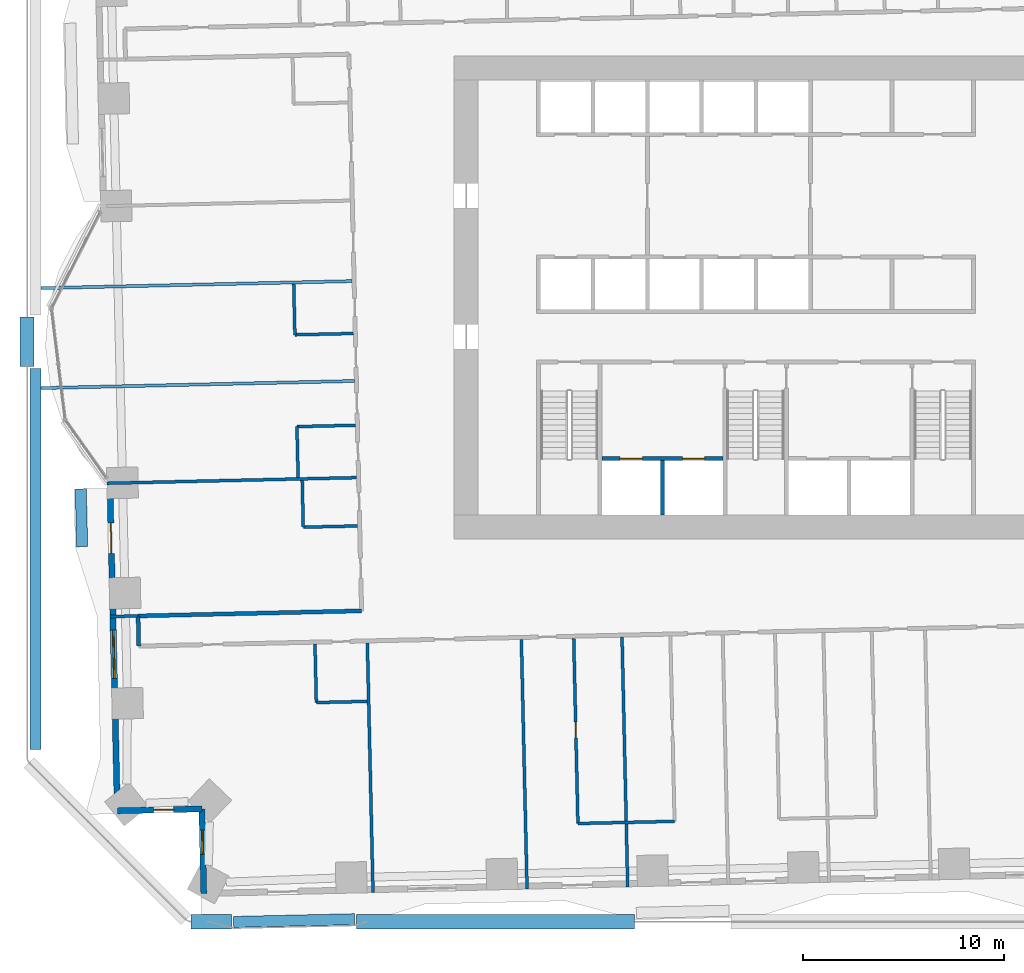
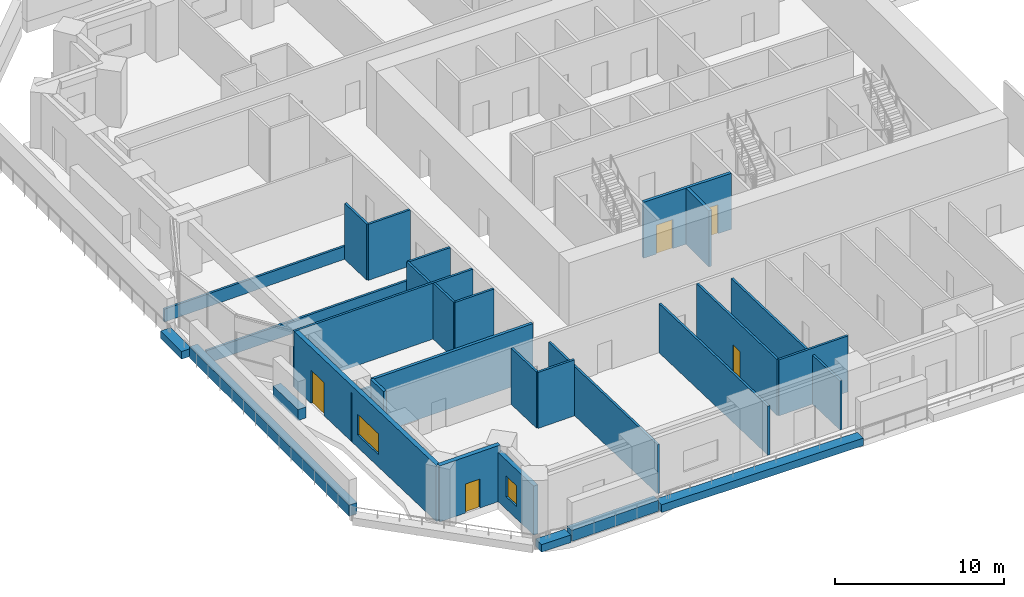
# One storey, part 10 of 21: 30 walls, 5 doors, 2 windows, 7 openings.
"""IFC4 building model written with IfcOpenShell, lengths in metres."""

from ifc_helpers import new_model, si_unit, direction, frame, frame_2d, origin, place, context, subcontext, project, spatial, rectangle, extrude, material, layer, layer_set, type_object, element, fill, save


model = new_model("IFC4")

# Units and contexts
model_context = context("Model", 3, precision=1e-05, world=origin(), true_north=direction((0.0, 1.0)))
body_context = subcontext(model_context, "Body", "Model", "MODEL_VIEW")
ifc_project = project(units=[si_unit("LENGTHUNIT", "METRE"), si_unit("AREAUNIT", "SQUARE_METRE"), si_unit("VOLUMEUNIT", "CUBIC_METRE"), si_unit("PLANEANGLEUNIT", "RADIAN"), si_unit("MASSUNIT", "GRAM", prefix="KILO")], contexts=[model_context])

# Site, building, storey
site_placement = place(None, origin())
site = spatial("IfcSite", under=ifc_project, at=site_placement, CompositionType="ELEMENT")
building_placement = place(site_placement, origin())
building = spatial("IfcBuilding", under=site, at=building_placement, Name="Mangrove Gate Tower", CompositionType="ELEMENT")
storey_placement = place(building_placement, frame((0.0, 0.0, 29.5)))
storey = spatial("IfcBuildingStorey", under=building, at=storey_placement, Name="L06", CompositionType="ELEMENT", Elevation=29.5)

# Wall, openings, doors
ifc_material_1 = material(Name="Concrete C70/85", Category="concrete")
ifc_layer_1 = layer(ifc_material_1, 0.199951171875)
ifc_layer_set_1 = layer_set([ifc_layer_1], Name="Core shaft wall 200 C70/85")
wall_type_1 = type_object("IfcWallType", Name="Core shaft wall 200 C70/85", PredefinedType="SHEAR", material=ifc_layer_set_1)
wall_1_placement = place(storey_placement, frame((-7.64990234375, -8.0, 0.0), z_axis=(0.0, 0.0, 1.0), x_axis=(1.0, 0.0, 0.0)))
wall_1 = element("IfcWall", 1, at=wall_1_placement, inside=storey, type_object=wall_type_1, Name="WALL-L06-CORE-15", PredefinedType="SHEAR", context=body_context, shape_type="SweptSolid", body=[
    extrude(rectangle(XDim=6.0, YDim=0.199951171875, at=frame_2d((3.0, 0.0))), origin(), (0.0, 0.0, 1.0), 4.050048828125),
])
opening_1_placement = place(wall_1_placement, frame((0.89990234375, 0.0, 0.0)))
opening_1 = element("IfcOpeningElement", 2, at=opening_1_placement, cuts=wall_1, Name="Opening LD", PredefinedType="OPENING", context=body_context, shape_type="SweptSolid", body=[
    extrude(rectangle(XDim=1.10009765625, YDim=2.10009765625, at=frame_2d((0.550048828125, 1.050048828125))), frame((0.0, 0.10986328125, 0.0), z_axis=(0.0, -1.0, 0.0), x_axis=(1.0, 0.0, 0.0)), (0.0, 0.0, 1.0), 0.219970703125),
])
opening_2_placement = place(wall_1_placement, frame((4.0, 0.0, 0.0)))
opening_2 = element("IfcOpeningElement", 3, at=opening_2_placement, cuts=wall_1, Name="Opening LD", PredefinedType="OPENING", context=body_context, shape_type="SweptSolid", body=[
    extrude(rectangle(XDim=1.10009765625, YDim=2.10009765625, at=frame_2d((0.550048828125, 1.050048828125))), frame((0.0, 0.10986328125, 0.0), z_axis=(0.0, -1.0, 0.0), x_axis=(1.0, 0.0, 0.0)), (0.0, 0.0, 1.0), 0.219970703125),
])
ifc_material_2 = material(Name="Stainless steel 316", Category="steel")
door_type_1 = type_object("IfcDoorType", Name="Lift landing door 1100x2100", OperationType="SLIDING_TO_LEFT", PredefinedType="DOOR", material=ifc_material_2)
door_1_placement = place(opening_1_placement, origin())
door_1 = element("IfcDoor", 4, at=door_1_placement, inside=storey, type_object=door_type_1, Name="Landing door LD SVL1", OperationType="SLIDING_TO_LEFT", OverallHeight=2.10009765625, OverallWidth=1.10009765625, PredefinedType="DOOR", context=body_context, shape_type="SweptSolid", body=[
    extrude(rectangle(XDim=1.10009765625, YDim=2.10009765625, at=frame_2d((0.550048828125, 1.050048828125))), frame((0.0, 0.02490234375, 0.0), z_axis=(0.0, -1.0, 0.0), x_axis=(1.0, 0.0, 0.0)), (0.0, 0.0, 1.0), 0.050048828125),
])
fill(opening_1, door_1)
door_2_placement = place(opening_2_placement, origin())
door_2 = element("IfcDoor", 5, at=door_2_placement, inside=storey, type_object=door_type_1, Name="Landing door LD SVL2", OperationType="SLIDING_TO_LEFT", OverallHeight=2.10009765625, OverallWidth=1.10009765625, PredefinedType="DOOR", context=body_context, shape_type="SweptSolid", body=[
    extrude(rectangle(XDim=1.10009765625, YDim=2.10009765625, at=frame_2d((0.550048828125, 1.050048828125))), frame((0.0, 0.02490234375, 0.0), z_axis=(0.0, -1.0, 0.0), x_axis=(1.0, 0.0, 0.0)), (0.0, 0.0, 1.0), 0.050048828125),
])
fill(opening_2, door_2)

# Walls
wall_2_placement = place(storey_placement, frame((-4.64990234375, -10.800048828125, 0.0), z_axis=(0.0, 0.0, 1.0), x_axis=(0.0, 1.0, 0.0)))
element("IfcWall", 6, at=wall_2_placement, inside=storey, type_object=wall_type_1, Name="WALL-L06-CORE-16", PredefinedType="SHEAR", context=body_context, shape_type="SweptSolid", body=[
    extrude(rectangle(XDim=2.699951171875, YDim=0.199951171875, at=frame_2d((1.35009765625, 0.0))), origin(), (0.0, 0.0, 1.0), 4.050048828125),
])
ifc_material_3 = material(Name="Gypsum board on steel stud, EI 60", Category="steel")
ifc_layer_2 = layer(ifc_material_3, 0.199951171875)
ifc_layer_set_2 = layer_set([ifc_layer_2], Name="Corridor wall EI 60")
wall_type_2 = type_object("IfcWallType", Name="Corridor wall EI 60", PredefinedType="PARTITIONING", material=ifc_layer_set_2)
wall_3_placement = place(storey_placement, frame((-30.652099609375, -17.31298828125, 0.0), z_axis=(0.0, 0.0, 1.0), x_axis=(-0.022632637625, 0.99974384905, 0.0)))
element("IfcWall", 7, at=wall_3_placement, inside=storey, type_object=wall_type_2, Name="WALL-L06-019", PredefinedType="PARTITIONING", context=body_context, shape_type="SweptSolid", body=[
    extrude(rectangle(XDim=1.49951171875, YDim=0.199951171875, at=frame_2d((0.749755859375, 0.0))), origin(), (0.0, 0.0, 1.0), 4.050048828125),
])
wall_4_placement = place(storey_placement, frame((-30.68603515625, -15.81396484375, 0.0), z_axis=(0.0, 0.0, 1.0), x_axis=(0.999742346277, 0.022698921993, 0.0)))
element("IfcWall", 8, at=wall_4_placement, inside=storey, type_object=wall_type_2, Name="WALL-L06-022", PredefinedType="PARTITIONING", context=body_context, shape_type="SweptSolid", body=[
    extrude(rectangle(XDim=11.099853515625, YDim=0.199951171875, at=frame_2d((5.5498046875, 0.0))), origin(), (0.0, 0.0, 1.0), 4.050048828125),
])

# Wall, openings, door, window
ifc_material_4 = material(Name="Limestone", Category="masonry")
ifc_layer_3 = layer(ifc_material_4, 0.0400390625, Name="Limestone cladding")
ifc_material_5 = material(Name="Ventilated air gap")
ifc_layer_4 = layer(ifc_material_5, 0.0400390625, Name="Ventilated cavity")
ifc_material_6 = material(Name="Mineral wool insulation")
ifc_layer_5 = layer(ifc_material_6, 0.06005859375, Name="Insulation")
ifc_material_7 = material(Name="Breather membrane")
ifc_layer_6 = layer(ifc_material_7, 0.001953125, Name="Breather membrane")
ifc_material_8 = material(Name="Concrete C20/25 blockwork", Category="masonry")
ifc_layer_7 = layer(ifc_material_8, 0.14990234375, Name="Blockwork backing wall")
ifc_material_9 = material(Name="Gypsum plaster")
ifc_layer_8 = layer(ifc_material_9, 0.008056640625, Name="Internal plaster")
ifc_layer_set_3 = layer_set([ifc_layer_3, ifc_layer_4, ifc_layer_5, ifc_layer_6, ifc_layer_7, ifc_layer_8], Name="External wall 300 limestone cladding")
wall_type_3 = type_object("IfcWallType", Name="External wall 300 limestone cladding", PredefinedType="SOLIDWALL", material=ifc_layer_set_3)
wall_5_placement = place(storey_placement, frame((-32.0869140625, -9.1640625, 0.0), z_axis=(0.0, 0.0, 1.0), x_axis=(0.022651102902, -0.999743430855, 0.0)))
wall_5 = element("IfcWall", 9, at=wall_5_placement, inside=storey, type_object=wall_type_3, Name="WALL-L06-W10", PredefinedType="SOLIDWALL", context=body_context, shape_type="SweptSolid", body=[
    extrude(rectangle(XDim=16.3291015625, YDim=0.300048828125, at=frame_2d((8.16455078125, 0.0))), origin(), (0.0, 0.0, 1.0), 4.050048828125),
])
opening_3_placement = place(wall_5_placement, frame((2.0419921875, 0.0, 0.0)))
opening_3 = element("IfcOpeningElement", 10, at=opening_3_placement, cuts=wall_5, Name="Opening BD1", PredefinedType="OPENING", context=body_context, shape_type="SweptSolid", body=[
    extrude(rectangle(XDim=1.5, YDim=2.39990234375, at=frame_2d((0.75, 1.199951171875))), frame((0.0, 0.159912109375, 0.0), z_axis=(0.0, -1.0, 0.0), x_axis=(1.0, 0.0, 0.0)), (0.0, 0.0, 1.0), 0.320068359375),
])
opening_4_placement = place(wall_5_placement, frame((7.35400390625, 0.0, 0.89990234375)))
opening_4 = element("IfcOpeningElement", 11, at=opening_4_placement, cuts=wall_5, Name="Opening W2", PredefinedType="OPENING", context=body_context, shape_type="SweptSolid", body=[
    extrude(rectangle(XDim=2.39990234375, YDim=1.5, at=frame_2d((1.199951171875, 0.75))), frame((0.0, 0.159912109375, 0.0), z_axis=(0.0, -1.0, 0.0), x_axis=(1.0, 0.0, 0.0)), (0.0, 0.0, 1.0), 0.320068359375),
])
ifc_material_10 = material(Name="Aluminium frame with laminated clear glass", Category="aluminium")
door_type_2 = type_object("IfcDoorType", Name="Balcony sliding door 1500x2400", OperationType="SLIDING_TO_LEFT", PredefinedType="DOOR", material=ifc_material_10)
door_3_placement = place(opening_3_placement, origin())
door_3 = element("IfcDoor", 12, at=door_3_placement, inside=storey, type_object=door_type_2, Name="DOOR-L06-W10-1", OperationType="SLIDING_TO_LEFT", OverallHeight=2.39990234375, OverallWidth=1.5, PredefinedType="DOOR", context=body_context, shape_type="SweptSolid", body=[
    extrude(rectangle(XDim=1.5, YDim=2.39990234375, at=frame_2d((0.75, 1.199951171875))), frame((0.0, 0.02490234375, 0.0), z_axis=(0.0, -1.0, 0.0), x_axis=(1.0, 0.0, 0.0)), (0.0, 0.0, 1.0), 0.050048828125),
])
fill(opening_3, door_3)
ifc_material_11 = material(Name="Aluminium frame with double-glazed low-e glass", Category="aluminium")
window_type_1 = type_object("IfcWindowType", Name="Corner room window 2400x1500", PartitioningType="DOUBLE_PANEL_VERTICAL", PredefinedType="WINDOW", material=ifc_material_11)
window_1_placement = place(opening_4_placement, origin())
window_1 = element("IfcWindow", 13, at=window_1_placement, inside=storey, type_object=window_type_1, Name="WIN-L06-W10-2", OverallHeight=1.5, OverallWidth=2.39990234375, PartitioningType="DOUBLE_PANEL_VERTICAL", PredefinedType="WINDOW", context=body_context, shape_type="SweptSolid", body=[
    extrude(rectangle(XDim=2.39990234375, YDim=1.5, at=frame_2d((1.199951171875, 0.75))), frame((0.0, 0.030029296875, 0.0), z_axis=(0.0, -1.0, 0.0), x_axis=(1.0, 0.0, 0.0)), (0.0, 0.0, 1.0), 0.06005859375),
])
fill(opening_4, window_1)

# Wall, opening, door
wall_6_placement = place(storey_placement, frame((-31.717041015625, -25.489013671875, 0.0), z_axis=(0.0, 0.0, 1.0), x_axis=(0.999744320311, 0.022611811187, 0.0)))
wall_6 = element("IfcWall", 14, at=wall_6_placement, inside=storey, type_object=wall_type_3, Name="WALL-L06-S11", PredefinedType="SOLIDWALL", context=body_context, shape_type="SweptSolid", body=[
    extrude(rectangle(XDim=4.199951171875, YDim=0.300048828125, at=frame_2d((2.10009765625, 0.0))), origin(), (0.0, 0.0, 1.0), 4.050048828125),
])
opening_5_placement = place(wall_6_placement, frame((1.800048828125, 0.0, 0.0)))
opening_5 = element("IfcOpeningElement", 15, at=opening_5_placement, cuts=wall_6, Name="Opening MD1", PredefinedType="OPENING", context=body_context, shape_type="SweptSolid", body=[
    extrude(rectangle(XDim=1.0, YDim=2.10009765625, at=frame_2d((0.5, 1.050048828125))), frame((0.0, 0.159912109375, 0.0), z_axis=(0.0, -1.0, 0.0), x_axis=(1.0, 0.0, 0.0)), (0.0, 0.0, 1.0), 0.320068359375),
])
ifc_material_12 = material(Name="Aluminium frame with laminated clear glass", Category="aluminium")
door_type_3 = type_object("IfcDoorType", Name="Roof maintenance door 1000x2100", OperationType="SINGLE_SWING_LEFT", PredefinedType="DOOR", material=ifc_material_12)
door_4_placement = place(opening_5_placement, origin())
door_4 = element("IfcDoor", 16, at=door_4_placement, inside=storey, type_object=door_type_3, Name="DOOR-L06-S11-1", OperationType="SINGLE_SWING_LEFT", OverallHeight=2.10009765625, OverallWidth=1.0, PredefinedType="DOOR", context=body_context, shape_type="SweptSolid", body=[
    extrude(rectangle(XDim=1.0, YDim=2.10009765625, at=frame_2d((0.5, 1.050048828125))), frame((0.0, 0.02490234375, 0.0), z_axis=(0.0, -1.0, 0.0), x_axis=(1.0, 0.0, 0.0)), (0.0, 0.0, 1.0), 0.050048828125),
])
fill(opening_5, door_4)

# Wall, opening, window
wall_7_placement = place(storey_placement, frame((-27.51806640625, -25.39404296875, 0.0), z_axis=(0.0, 0.0, 1.0), x_axis=(0.022611811187, -0.999744320311, 0.0)))
wall_7 = element("IfcWall", 17, at=wall_7_placement, inside=storey, type_object=wall_type_3, Name="WALL-L06-W12", PredefinedType="SOLIDWALL", context=body_context, shape_type="SweptSolid", body=[
    extrude(rectangle(XDim=4.199951171875, YDim=0.300048828125, at=frame_2d((2.10009765625, 0.0))), origin(), (0.0, 0.0, 1.0), 3.550048828125),
])
opening_6_placement = place(wall_7_placement, frame((1.05810546875, 0.0, 0.89990234375)))
opening_6 = element("IfcOpeningElement", 18, at=opening_6_placement, cuts=wall_7, Name="Opening W1", PredefinedType="OPENING", context=body_context, shape_type="SweptSolid", body=[
    extrude(rectangle(XDim=1.199951171875, YDim=1.5, at=frame_2d((0.60009765625, 0.75))), frame((0.0, 0.159912109375, 0.0), z_axis=(0.0, -1.0, 0.0), x_axis=(1.0, 0.0, 0.0)), (0.0, 0.0, 1.0), 0.320068359375),
])
ifc_material_13 = material(Name="Aluminium frame with double-glazed low-e glass", Category="aluminium")
window_type_2 = type_object("IfcWindowType", Name="Side lite 1200x1500", PartitioningType="SINGLE_PANEL", PredefinedType="WINDOW", material=ifc_material_13)
window_2_placement = place(opening_6_placement, origin())
window_2 = element("IfcWindow", 19, at=window_2_placement, inside=storey, type_object=window_type_2, Name="WIN-L06-W12-1", OverallHeight=1.5, OverallWidth=1.199951171875, PartitioningType="SINGLE_PANEL", PredefinedType="WINDOW", context=body_context, shape_type="SweptSolid", body=[
    extrude(rectangle(XDim=1.199951171875, YDim=1.5, at=frame_2d((0.60009765625, 0.75))), frame((0.0, 0.030029296875, 0.0), z_axis=(0.0, -1.0, 0.0), x_axis=(1.0, 0.0, 0.0)), (0.0, 0.0, 1.0), 0.06005859375),
])
fill(opening_6, window_2)

# Walls
ifc_material_14 = material(Name="Gypsum board on steel stud, EI 60", Category="steel")
ifc_layer_9 = layer(ifc_material_14, 0.14990234375)
ifc_layer_set_4 = layer_set([ifc_layer_9], Name="Party wall 150 EI 60")
wall_type_4 = type_object("IfcWallType", Name="Party wall 150 EI 60", PredefinedType="PARTITIONING", material=ifc_layer_set_4)
wall_8_placement = place(storey_placement, frame((-19.02099609375, -29.552001953125, 0.0), z_axis=(0.0, 0.0, 1.0), x_axis=(-0.022741979748, 0.999741367733, 0.0)))
element("IfcWall", 20, at=wall_8_placement, inside=storey, type_object=wall_type_4, Name="WALL-L06-001", PredefinedType="PARTITIONING", context=body_context, shape_type="SweptSolid", body=[
    extrude(rectangle(XDim=12.399169921875, YDim=0.14990234375, at=frame_2d((6.19970703125, 0.0))), origin(), (0.0, 0.0, 1.0), 3.550048828125),
])
wall_9_placement = place(storey_placement, frame((-11.373046875, -29.37890625, 0.0), z_axis=(0.0, 0.0, 1.0), x_axis=(-0.022740189192, 0.999741408463, 0.0)))
element("IfcWall", 21, at=wall_9_placement, inside=storey, type_object=wall_type_4, Name="WALL-L06-002", PredefinedType="PARTITIONING", context=body_context, shape_type="SweptSolid", body=[
    extrude(rectangle(XDim=12.400146484375, YDim=0.14990234375, at=frame_2d((6.2001953125, 0.0))), origin(), (0.0, 0.0, 1.0), 3.550048828125),
])
wall_10_placement = place(storey_placement, frame((-6.375, -29.264892578125, 0.0), z_axis=(0.0, 0.0, 1.0), x_axis=(-0.022663260168, 0.999743155335, 0.0)))
element("IfcWall", 22, at=wall_10_placement, inside=storey, type_object=wall_type_4, Name="WALL-L06-003", PredefinedType="PARTITIONING", context=body_context, shape_type="SweptSolid", body=[
    extrude(rectangle(XDim=12.399169921875, YDim=0.14990234375, at=frame_2d((6.19970703125, 0.0))), origin(), (0.0, 0.0, 1.0), 3.550048828125),
])
wall_11_placement = place(storey_placement, frame((-8.846923828125, -26.12109375, 0.0), z_axis=(0.0, 0.0, 1.0), x_axis=(0.999741520352, 0.022735269617, 0.0)))
element("IfcWall", 23, at=wall_11_placement, inside=storey, type_object=wall_type_4, Name="WALL-L06-008", PredefinedType="PARTITIONING", context=body_context, shape_type="SweptSolid", body=[
    extrude(rectangle(XDim=4.800048828125, YDim=0.14990234375, at=frame_2d((2.39990234375, 0.0))), origin(), (0.0, 0.0, 1.0), 4.050048828125),
])

# Wall, opening, door
wall_12_placement = place(storey_placement, frame((-8.846923828125, -26.12109375, 0.0), z_axis=(0.0, 0.0, 1.0), x_axis=(-0.022608685365, 0.999744391005, 0.0)))
wall_12 = element("IfcWall", 24, at=wall_12_placement, inside=storey, type_object=wall_type_4, Name="WALL-L06-009", PredefinedType="PARTITIONING", context=body_context, shape_type="SweptSolid", body=[
    extrude(rectangle(XDim=9.200439453125, YDim=0.14990234375, at=frame_2d((4.60009765625, 0.0))), origin(), (0.0, 0.0, 1.0), 4.050048828125),
])
opening_7_placement = place(wall_12_placement, frame((4.25, 0.0, 0.0)))
opening_7 = element("IfcOpeningElement", 25, at=opening_7_placement, cuts=wall_12, Name="Opening ED", PredefinedType="OPENING", context=body_context, shape_type="SweptSolid", body=[
    extrude(rectangle(XDim=0.800048828125, YDim=2.10009765625, at=frame_2d((0.39990234375, 1.050048828125))), frame((0.0, 0.0849609375, 0.0), z_axis=(0.0, -1.0, 0.0), x_axis=(1.0, 0.0, 0.0)), (0.0, 0.0, 1.0), 0.169921875),
])
ifc_material_15 = material(Name="Timber door leaf", Category="wood")
door_type_4 = type_object("IfcDoorType", Name="En-suite door 800", OperationType="SINGLE_SWING_LEFT", PredefinedType="DOOR", material=ifc_material_15)
door_5_placement = place(opening_7_placement, origin())
door_5 = element("IfcDoor", 26, at=door_5_placement, inside=storey, type_object=door_type_4, Name="DOOR-L06-ENS-c101", OperationType="SINGLE_SWING_LEFT", OverallHeight=2.10009765625, OverallWidth=0.800048828125, PredefinedType="DOOR", context=body_context, shape_type="SweptSolid", body=[
    extrude(rectangle(XDim=0.800048828125, YDim=2.10009765625, at=frame_2d((0.39990234375, 1.050048828125))), frame((0.0, 0.02490234375, 0.0), z_axis=(0.0, -1.0, 0.0), x_axis=(1.0, 0.0, 0.0)), (0.0, 0.0, 1.0), 0.050048828125),
])
fill(opening_7, door_5)

# Walls
wall_13_placement = place(storey_placement, frame((-21.8359375, -20.114013671875, 0.0), z_axis=(0.0, 0.0, 1.0), x_axis=(0.99974392816, 0.022629142889, 0.0)))
element("IfcWall", 27, at=wall_13_placement, inside=storey, type_object=wall_type_4, Name="WALL-L06-014", PredefinedType="PARTITIONING", context=body_context, shape_type="SweptSolid", body=[
    extrude(rectangle(XDim=2.524658203125, YDim=0.14990234375, at=frame_2d((1.26220703125, 0.0))), origin(), (0.0, 0.0, 1.0), 4.050048828125),
])
wall_14_placement = place(storey_placement, frame((-21.8359375, -20.114013671875, 0.0), z_axis=(0.0, 0.0, 1.0), x_axis=(-0.022817032779, 0.999739657619, 0.0)))
element("IfcWall", 28, at=wall_14_placement, inside=storey, type_object=wall_type_4, Name="WALL-L06-015", PredefinedType="PARTITIONING", context=body_context, shape_type="SweptSolid", body=[
    extrude(rectangle(XDim=2.899658203125, YDim=0.14990234375, at=frame_2d((1.44970703125, 0.0))), origin(), (0.0, 0.0, 1.0), 4.050048828125),
])
wall_15_placement = place(storey_placement, frame((-32.0859375, -15.844970703125, 0.0), z_axis=(0.0, 0.0, 1.0), x_axis=(0.999754810245, 0.022143156767, 0.0)))
element("IfcWall", 29, at=wall_15_placement, inside=storey, type_object=wall_type_4, Name="WALL-L06-021", PredefinedType="PARTITIONING", context=body_context, shape_type="SweptSolid", body=[
    extrude(rectangle(XDim=1.400146484375, YDim=0.14990234375, at=frame_2d((0.7001953125, 0.0))), origin(), (0.0, 0.0, 1.0), 3.550048828125),
])
wall_16_placement = place(storey_placement, frame((-22.48388671875, -11.406005859375, 0.0), z_axis=(0.0, 0.0, 1.0), x_axis=(0.999744396973, 0.02260842146, 0.0)))
element("IfcWall", 30, at=wall_16_placement, inside=storey, type_object=wall_type_4, Name="WALL-L06-027", PredefinedType="PARTITIONING", context=body_context, shape_type="SweptSolid", body=[
    extrude(rectangle(XDim=2.69970703125, YDim=0.14990234375, at=frame_2d((1.349853515625, 0.0))), origin(), (0.0, 0.0, 1.0), 4.050048828125),
])
wall_17_placement = place(storey_placement, frame((-22.48388671875, -11.40087890625, 0.0), z_axis=(0.0, 0.0, 1.0), x_axis=(-0.022895561926, 0.999737862264, 0.0)))
element("IfcWall", 31, at=wall_17_placement, inside=storey, type_object=wall_type_4, Name="WALL-L06-028", PredefinedType="PARTITIONING", context=body_context, shape_type="SweptSolid", body=[
    extrude(rectangle(XDim=2.324462890625, YDim=0.14990234375, at=frame_2d((1.162109375, 0.0))), origin(), (0.0, 0.0, 1.0), 4.050048828125),
])
wall_18_placement = place(storey_placement, frame((-32.236083984375, -9.22705078125, 0.0), z_axis=(0.0, 0.0, 1.0), x_axis=(0.999743195783, 0.022661475803, 0.0)))
element("IfcWall", 32, at=wall_18_placement, inside=storey, type_object=wall_type_4, Name="WALL-L06-029", PredefinedType="PARTITIONING", context=body_context, shape_type="SweptSolid", body=[
    extrude(rectangle(XDim=12.400146484375, YDim=0.14990234375, at=frame_2d((6.2001953125, 0.0))), origin(), (0.0, 0.0, 1.0), 4.050048828125),
])
wall_19_placement = place(storey_placement, frame((-22.739990234375, -8.930908203125, 0.0), z_axis=(0.0, 0.0, 1.0), x_axis=(-0.023015762656, 0.999735102249, 0.0)))
element("IfcWall", 33, at=wall_19_placement, inside=storey, type_object=wall_type_4, Name="WALL-L06-030", PredefinedType="PARTITIONING", context=body_context, shape_type="SweptSolid", body=[
    extrude(rectangle(XDim=2.524658203125, YDim=0.14990234375, at=frame_2d((1.26220703125, 0.0))), origin(), (0.0, 0.0, 1.0), 4.050048828125),
])
wall_20_placement = place(storey_placement, frame((-22.797119140625, -6.412109375, 0.0), z_axis=(0.0, 0.0, 1.0), x_axis=(0.999739701447, 0.022815112345, 0.0)))
element("IfcWall", 34, at=wall_20_placement, inside=storey, type_object=wall_type_4, Name="WALL-L06-031", PredefinedType="PARTITIONING", context=body_context, shape_type="SweptSolid", body=[
    extrude(rectangle(XDim=2.89990234375, YDim=0.14990234375, at=frame_2d((1.449951171875, 0.0))), origin(), (0.0, 0.0, 1.0), 4.050048828125),
])
wall_21_placement = place(storey_placement, frame((-35.510009765625, -4.5, 0.0), z_axis=(0.0, 0.0, 1.0), x_axis=(0.999742790126, 0.022679364854, 0.0)))
element("IfcWall", 35, at=wall_21_placement, inside=storey, type_object=wall_type_4, Name="WALL-L06-032", PredefinedType="PARTITIONING", context=body_context, shape_type="SweptSolid", body=[
    extrude(rectangle(XDim=15.56591796875, YDim=0.14990234375, at=frame_2d((7.782958984375, 0.0))), origin(), (0.0, 0.0, 1.0), 0.929931640625),
])
wall_22_placement = place(storey_placement, frame((-22.90087890625, -1.85791015625, 0.0), z_axis=(0.0, 0.0, 1.0), x_axis=(-0.022629142889, 0.99974392816, 0.0)))
element("IfcWall", 36, at=wall_22_placement, inside=storey, type_object=wall_type_4, Name="WALL-L06-033", PredefinedType="PARTITIONING", context=body_context, shape_type="SweptSolid", body=[
    extrude(rectangle(XDim=2.524658203125, YDim=0.14990234375, at=frame_2d((1.26220703125, 0.0))), origin(), (0.0, 0.0, 1.0), 4.050048828125),
])
wall_23_placement = place(storey_placement, frame((-22.90087890625, -1.85302734375, 0.0), z_axis=(0.0, 0.0, 1.0), x_axis=(0.999749172145, 0.022396267458, 0.0)))
element("IfcWall", 37, at=wall_23_placement, inside=storey, type_object=wall_type_4, Name="WALL-L06-034", PredefinedType="PARTITIONING", context=body_context, shape_type="SweptSolid", body=[
    extrude(rectangle(XDim=2.899658203125, YDim=0.14990234375, at=frame_2d((1.44970703125, 0.0))), origin(), (0.0, 0.0, 1.0), 4.050048828125),
])
wall_24_placement = place(storey_placement, frame((-35.510009765625, 0.4609375, 0.0), z_axis=(0.0, 0.0, 1.0), x_axis=(0.999741892637, 0.022718893181, 0.0)))
element("IfcWall", 38, at=wall_24_placement, inside=storey, type_object=wall_type_4, Name="WALL-L06-035", PredefinedType="PARTITIONING", context=body_context, shape_type="SweptSolid", body=[
    extrude(rectangle(XDim=15.452880859375, YDim=0.14990234375, at=frame_2d((7.7265625, 0.0))), origin(), (0.0, 0.0, 1.0), 0.929931640625),
])
ifc_material_16 = material(Name="Concrete C32/40", Category="concrete")
ifc_layer_10 = layer(ifc_material_16, 0.199951171875, Name="Planter trough wall")
ifc_material_17 = material(Name="Bituminous waterproofing membrane")
ifc_layer_11 = layer(ifc_material_17, 0.0048828125, Name="Waterproofing")
ifc_material_18 = material(Name="Drainage board and gravel")
ifc_layer_12 = layer(ifc_material_18, 0.044921875, Name="Drainage layer")
ifc_material_19 = material(Name="Planting soil")
ifc_layer_13 = layer(ifc_material_19, 0.300048828125, Name="Growing medium")
ifc_layer_set_5 = layer_set([ifc_layer_10, ifc_layer_11, ifc_layer_12, ifc_layer_13], Name="Planter wall 550 C32/40")
wall_type_5 = type_object("IfcWallType", Name="Planter wall 550 C32/40", PredefinedType="USERDEFINED", material=ifc_layer_set_5)
wall_25_placement = place(storey_placement, frame((-33.464111328125, -12.375, 0.0), z_axis=(0.0, 0.0, 1.0), x_axis=(-0.022929749512, 0.99973707873, 0.0)))
element("IfcWall", 39, at=wall_25_placement, inside=storey, type_object=wall_type_5, Name="PLANTER L06 W1.1", ObjectType="PLANTER", PredefinedType="USERDEFINED", context=body_context, shape_type="SweptSolid", body=[
    extrude(rectangle(XDim=2.874755859375, YDim=0.550048828125, at=frame_2d((1.4375, 0.0))), origin(), (0.0, 0.0, 1.0), 0.800048828125),
])
wall_26_placement = place(storey_placement, frame((-25.94091796875, -31.009033203125, 0.0), z_axis=(0.0, 0.0, 1.0), x_axis=(0.999743178102, 0.022662255828, 0.0)))
element("IfcWall", 40, at=wall_26_placement, inside=storey, type_object=wall_type_5, Name="PLANTER L06 S0.1", ObjectType="PLANTER", PredefinedType="USERDEFINED", context=body_context, shape_type="SweptSolid", body=[
    extrude(rectangle(XDim=6.00048828125, YDim=0.550048828125, at=frame_2d((3.000244140625, 0.0))), origin(), (0.0, 0.0, 1.0), 0.800048828125),
])
wall_27_placement = place(storey_placement, frame((-35.784912109375, -22.443115234375, 0.0), z_axis=(0.0, 0.0, 1.0), x_axis=(0.0, 1.0, 0.0)))
element("IfcWall", 41, at=wall_27_placement, inside=storey, type_object=wall_type_5, Name="PLANTER L06 T1.1.20", ObjectType="PLANTER", PredefinedType="USERDEFINED", context=body_context, shape_type="SweptSolid", body=[
    extrude(rectangle(XDim=18.906005859375, YDim=0.550048828125, at=frame_2d((9.453125, 0.0))), origin(), (0.0, 0.0, 1.0), 0.800048828125),
])
ifc_layer_14 = layer(ifc_material_4, 0.699951171875, Name="Limestone cornice course")
ifc_layer_set_6 = layer_set([ifc_layer_14], Name="Podium cornice 700 limestone")
wall_type_6 = type_object("IfcWallType", Name="Podium cornice 700 limestone", PredefinedType="STANDARD", material=ifc_layer_set_6)
wall_28_placement = place(storey_placement, frame((-36.199951171875, -0.962890625, 0.0), z_axis=(0.0, 0.0, 1.0), x_axis=(0.0, -1.0, 0.0)))
element("IfcWall", 42, at=wall_28_placement, inside=storey, type_object=wall_type_6, Name="Podium cornice W 1", PredefinedType="STANDARD", context=body_context, shape_type="SweptSolid", body=[
    extrude(rectangle(XDim=2.47412109375, YDim=0.699951171875, at=frame_2d((1.237060546875, 0.0))), origin(), (0.0, 0.0, 1.0), 0.550048828125),
])
wall_29_placement = place(storey_placement, frame((-28.054931640625, -31.0, 0.0), z_axis=(0.0, 0.0, 1.0), x_axis=(1.0, 0.0, 0.0)))
element("IfcWall", 43, at=wall_29_placement, inside=storey, type_object=wall_type_6, Name="Podium cornice S 2", PredefinedType="STANDARD", context=body_context, shape_type="SweptSolid", body=[
    extrude(rectangle(XDim=2.0068359375, YDim=0.699951171875, at=frame_2d((1.00341796875, 0.0))), origin(), (0.0, 0.0, 1.0), 0.550048828125),
])
wall_30_placement = place(storey_placement, frame((-19.8349609375, -31.0, 0.0), z_axis=(0.0, 0.0, 1.0), x_axis=(1.0, 0.0, 0.0)))
element("IfcWall", 44, at=wall_30_placement, inside=storey, type_object=wall_type_6, Name="Podium cornice S 3", PredefinedType="STANDARD", context=body_context, shape_type="SweptSolid", body=[
    extrude(rectangle(XDim=13.791015625, YDim=0.699951171875, at=frame_2d((6.8955078125, 0.0))), origin(), (0.0, 0.0, 1.0), 0.550048828125),
])

save(model, "model.ifc")
